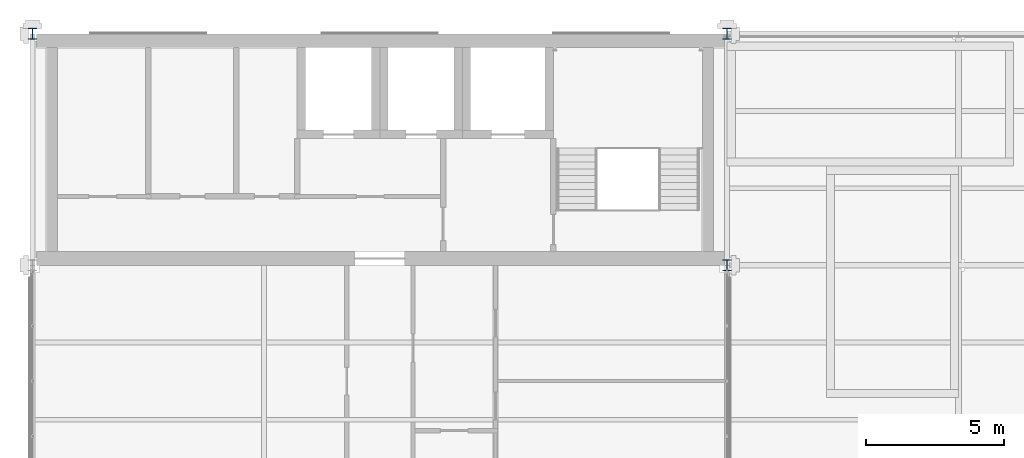
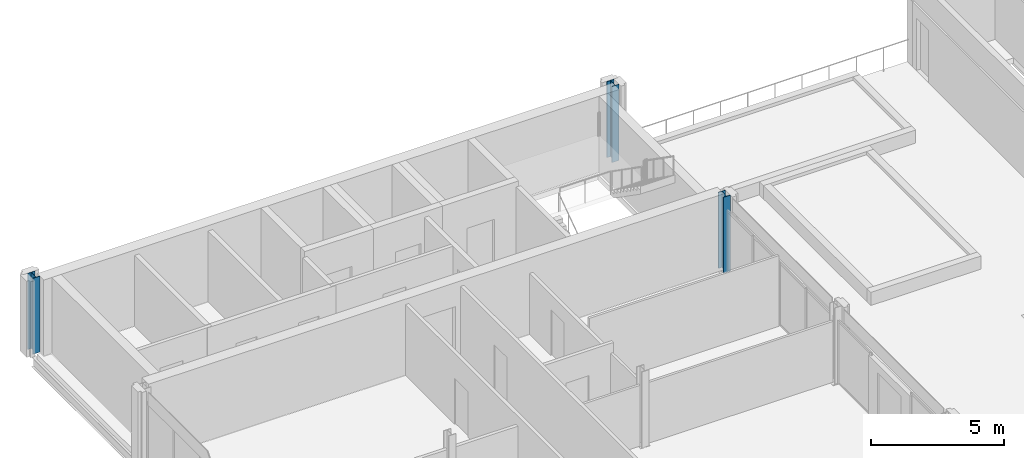
# One storey, part 2 of 32: 3 columns.
"""IFC4 building model written with IfcOpenShell, lengths in metres."""

from ifc_helpers import new_model, si_unit, direction, frame, origin, origin_2d, place, context, subcontext, project, spatial, i_section, extrude, material, material_profile, profile_set, type_object, element, save


model = new_model("IFC4")

# Units and contexts
model_context = context("Model", 3, precision=1e-05, world=origin(), true_north=direction((0.0, 1.0)))
body_context = subcontext(model_context, "Body", "Model", "MODEL_VIEW")
ifc_project = project(units=[si_unit("LENGTHUNIT", "METRE"), si_unit("AREAUNIT", "SQUARE_METRE"), si_unit("VOLUMEUNIT", "CUBIC_METRE"), si_unit("PLANEANGLEUNIT", "RADIAN"), si_unit("MASSUNIT", "GRAM", prefix="KILO")], contexts=[model_context])

# Site, building, storey
site_placement = place(None, origin())
site = spatial("IfcSite", under=ifc_project, at=site_placement, CompositionType="ELEMENT")
building_placement = place(site_placement, origin())
building = spatial("IfcBuilding", under=site, at=building_placement, Name="Catenary Quay Ferry Terminal", CompositionType="ELEMENT")
storey_placement = place(building_placement, frame((0.0, 0.0, 17.10009765625)))
storey = spatial("IfcBuildingStorey", under=building, at=storey_placement, Name="L03", CompositionType="ELEMENT", Elevation=17.10009765625)

# Columns
ifc_material = material(Name="Steel S355", Category="steel")
ifc_material_profile = material_profile(ifc_material, i_section(OverallWidth=0.300048828125, OverallDepth=0.39990234375, WebThickness=0.013427734375, FlangeThickness=0.02392578125, at=origin_2d()), Name="HEB 400")
ifc_profile_set = profile_set([ifc_material_profile], Name="Steel S355")
column_type = type_object("IfcColumnType", Name="C2 HEB 400", PredefinedType="COLUMN", material=ifc_profile_set)
for number, where, z_axis, x_axis, name in (
    (1, (25.199951171875, 210.0, 0.0), (0.0, 0.0, 1.0), (1.0, 0.0, 0.0), "Column C-D26 L03"),
    (2, (50.39990234375, 201.60009765625, 0.0), (0.0, 0.0, 1.0), (1.0, 0.0, 0.0), "Column C-G25 L03"),
    (3, (50.39990234375, 210.0, 0.0), (0.0, 0.0, 1.0), (1.0, 0.0, 0.0), "Column C-G26 L03"),
):
    element("IfcColumn", number, at=place(storey_placement, frame(where, z_axis=z_axis, x_axis=x_axis)), inside=storey, type_object=column_type, Name=name, PredefinedType="COLUMN", context=body_context, shape_type="SweptSolid", body=[
        extrude(i_section(OverallWidth=0.300048828125, OverallDepth=0.39990234375, WebThickness=0.013427734375, FlangeThickness=0.02392578125, at=origin_2d()), origin(), (0.0, 0.0, 1.0), 3.5),
    ])

save(model, "model.ifc")
